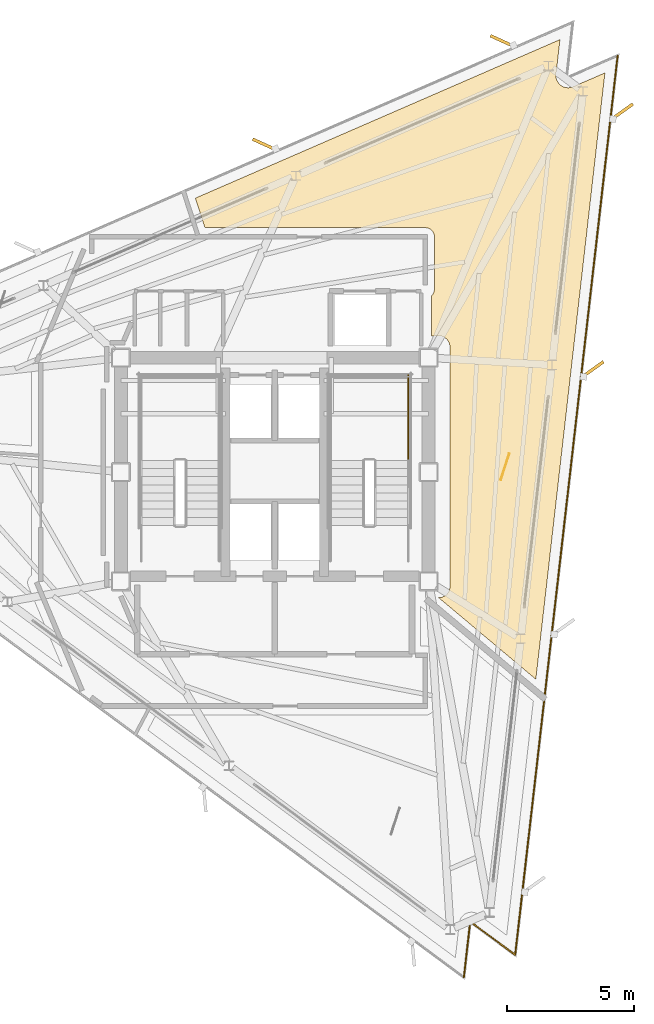
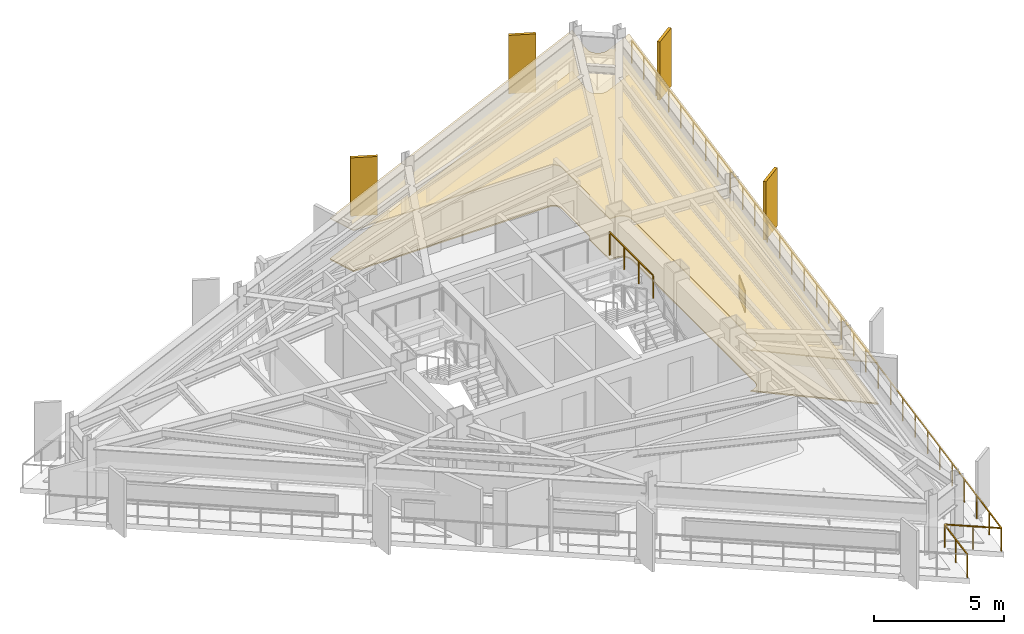
# One storey, part 9 of 9: 4 shading devices, 3 coverings, 2 railings.
"""IFC4 building model written with IfcOpenShell, lengths in metres."""

from ifc_helpers import new_model, si_unit, direction, frame, origin, origin_2d, place, context, subcontext, project, spatial, polyline, rectangle, outline, extrude, material, layer, layer_set, type_object, element, save


model = new_model("IFC4")

# Units and contexts
model_context = context("Model", 3, precision=1e-05, world=origin(), true_north=direction((0.0, 1.0)))
body_context = subcontext(model_context, "Body", "Model", "MODEL_VIEW")
ifc_project = project(units=[si_unit("LENGTHUNIT", "METRE"), si_unit("AREAUNIT", "SQUARE_METRE"), si_unit("VOLUMEUNIT", "CUBIC_METRE"), si_unit("PLANEANGLEUNIT", "RADIAN"), si_unit("MASSUNIT", "GRAM", prefix="KILO")], contexts=[model_context])

# Site, building, storey
site_placement = place(None, origin())
site = spatial("IfcSite", under=ifc_project, at=site_placement, CompositionType="ELEMENT")
building_placement = place(site_placement, origin())
building = spatial("IfcBuilding", under=site, at=building_placement, Name="Rocaltana Carrier Exchange", CompositionType="ELEMENT")
storey_placement = place(building_placement, frame((0.0, 0.0, 236.159912109375)))
storey = spatial("IfcBuildingStorey", under=building, at=storey_placement, Name="L75", CompositionType="ELEMENT", Elevation=236.159912109375)

# Coverings
ifc_material_1 = material(Name="Calcium Sulphate & Aluminium Pedestal", Category="aluminium")
ifc_layer_1 = layer(ifc_material_1, 0.06005859375)
ifc_layer_set_1 = layer_set([ifc_layer_1], Name="Calcium Sulphate & Aluminium Pedestal")
covering_type_1 = type_object("IfcCoveringType", Name="Anti-Static Raised Exchange Access Floor 60", PredefinedType="FLOORING", material=ifc_layer_set_1)
covering_1_placement = place(storey_placement, origin())
element("IfcCovering", 1, at=covering_1_placement, inside=storey, type_object=covering_type_1, Name="L75 Cloud Architecture Office Finish Floor", PredefinedType="FLOORING", context=body_context, shape_type="SweptSolid", body=[
    extrude(outline(polyline([(6.159912109375, 6.931884765625), (6.16455078125, 6.93603515625), (6.18408203125, 6.955322265625), (6.189208984375, 6.961181640625), (6.206787109375, 6.982421875), (6.21142578125, 6.98876953125), (6.226806640625, 7.01171875), (6.230712890625, 7.018310546875), (6.24365234375, 7.04248046875), (6.2470703125, 7.0498046875), (6.257568359375, 7.0751953125), (6.26025390625, 7.08251953125), (6.268310546875, 7.108642578125), (6.27001953125, 7.116455078125), (6.275390625, 7.143310546875), (6.276611328125, 7.151123046875), (6.279296875, 7.178466796875), (6.27978515625, 7.186279296875), (6.280029296875, 7.199951171875), (6.280029296875, 9.25), (6.27978515625, 9.263671875), (6.279296875, 9.271484375), (6.276611328125, 9.298828125), (6.275390625, 9.306640625), (6.27001953125, 9.33349609375), (6.268310546875, 9.34130859375), (6.26025390625, 9.36767578125), (6.257568359375, 9.375), (6.2470703125, 9.400390625), (6.24365234375, 9.407470703125), (6.230712890625, 9.431640625), (6.226806640625, 9.4384765625), (6.21142578125, 9.461181640625), (6.206787109375, 9.467529296875), (6.189208984375, 9.48876953125), (6.18408203125, 9.49462890625), (6.16455078125, 9.513916015625), (6.15869140625, 9.519287109375), (6.137451171875, 9.53662109375), (6.131103515625, 9.54150390625), (6.1083984375, 9.556640625), (6.101806640625, 9.560791015625), (6.077392578125, 9.57373046875), (6.0703125, 9.576904296875), (6.044921875, 9.58740234375), (6.03759765625, 9.590087890625), (6.01123046875, 9.59814453125), (6.003662109375, 9.60009765625), (5.976806640625, 9.60546875), (5.968994140625, 9.606689453125), (5.941650390625, 9.609375), (5.93359375, 9.609619140625), (5.919921875, 9.610107421875), (-2.743896484375, 9.610107421875), (-3.1220703125, 10.7734375), (11.217041015625, 17.00830078125), (11.06201171875, 15.648193359375), (11.060791015625, 15.634521484375), (11.0595703125, 15.614501953125), (11.05908203125, 15.586669921875), (11.059814453125, 15.566650390625), (11.062255859375, 15.538818359375), (11.06494140625, 15.51904296875), (11.070068359375, 15.49169921875), (11.07470703125, 15.472412109375), (11.08251953125, 15.445556640625), (11.089111328125, 15.4267578125), (11.099609375, 15.40087890625), (11.10791015625, 15.3828125), (11.12109375, 15.358154296875), (11.131103515625, 15.3408203125), (11.146484375, 15.317626953125), (11.158447265625, 15.301513671875), (11.176025390625, 15.27978515625), (11.189453125, 15.26513671875), (11.209228515625, 15.245361328125), (11.223876953125, 15.23193359375), (11.24560546875, 15.21435546875), (11.261474609375, 15.202392578125), (11.284912109375, 15.18701171875), (11.302001953125, 15.1767578125), (11.32666015625, 15.163818359375), (11.344482421875, 15.1552734375), (11.37060546875, 15.144775390625), (11.389404296875, 15.13818359375), (11.416015625, 15.130126953125), (11.435302734375, 15.12548828125), (11.462890625, 15.1201171875), (11.482666015625, 15.117431640625), (11.510498046875, 15.114990234375), (11.5302734375, 15.1142578125), (11.55810546875, 15.114501953125), (11.578125, 15.11572265625), (11.60595703125, 15.118896484375), (11.62548828125, 15.1220703125), (11.65283203125, 15.1279296875), (11.672119140625, 15.133056640625), (11.69873046875, 15.1416015625), (11.71728515625, 15.148681640625), (11.730224609375, 15.15380859375), (12.985595703125, 15.699462890625), (10.2685546875, -8.146484375), (6.447265625, -4.93994140625), (6.449951171875, -4.93994140625), (6.463623046875, -4.939697265625), (6.4794921875, -4.93896484375), (6.5068359375, -4.936279296875), (6.522216796875, -4.933837890625), (6.54931640625, -4.928466796875), (6.564453125, -4.9248046875), (6.5908203125, -4.916748046875), (6.605712890625, -4.91162109375), (6.630859375, -4.90087890625), (6.64501953125, -4.894287109375), (6.66943359375, -4.88134765625), (6.682861328125, -4.873291015625), (6.705810546875, -4.85791015625), (6.71826171875, -4.8486328125), (6.739501953125, -4.8310546875), (6.751220703125, -4.820556640625), (6.7705078125, -4.80126953125), (6.781005859375, -4.78955078125), (6.798583984375, -4.768310546875), (6.807861328125, -4.755615234375), (6.8232421875, -4.73291015625), (6.831298828125, -4.719482421875), (6.84423828125, -4.695068359375), (6.850830078125, -4.680908203125), (6.861572265625, -4.655517578125), (6.86669921875, -4.640869140625), (6.874755859375, -4.614501953125), (6.87841796875, -4.59912109375), (6.8837890625, -4.572265625), (6.88623046875, -4.556884765625), (6.888916015625, -4.529296875), (6.8896484375, -4.513671875), (6.889892578125, -4.5), (6.889892578125, 4.919921875), (6.8896484375, 4.93359375), (6.888916015625, 4.949462890625), (6.88623046875, 4.976806640625), (6.8837890625, 4.9921875), (6.87841796875, 5.019287109375), (6.874755859375, 5.034423828125), (6.86669921875, 5.060791015625), (6.861572265625, 5.07568359375), (6.850830078125, 5.100830078125), (6.84423828125, 5.114990234375), (6.831298828125, 5.139404296875), (6.8232421875, 5.15283203125), (6.807861328125, 5.17578125), (6.798583984375, 5.188232421875), (6.781005859375, 5.20947265625), (6.7705078125, 5.22119140625), (6.751220703125, 5.240478515625), (6.739501953125, 5.251220703125), (6.71826171875, 5.2685546875), (6.705810546875, 5.27783203125), (6.682861328125, 5.293212890625), (6.66943359375, 5.30126953125), (6.64501953125, 5.314208984375), (6.630859375, 5.32080078125), (6.605712890625, 5.33154296875), (6.5908203125, 5.336669921875), (6.564453125, 5.3447265625), (6.54931640625, 5.348388671875), (6.522216796875, 5.35400390625), (6.5068359375, 5.356201171875), (6.4794921875, 5.35888671875), (6.463623046875, 5.359619140625), (6.449951171875, 5.360107421875), (6.159912109375, 5.360107421875), (6.159912109375, 6.931884765625)])), origin(), (0.0, 0.0, 1.0), 0.06005859375),
])
ifc_material_2 = material(Name="Mineral Fibre & Powder-Coated Aluminium", Category="aluminium")
ifc_layer_2 = layer(ifc_material_2, 0.044921875)
ifc_layer_set_2 = layer_set([ifc_layer_2], Name="Mineral Fibre & Powder-Coated Aluminium")
covering_type_2 = type_object("IfcCoveringType", Name="Micro-Perforated Acoustic Ceiling 45", PredefinedType="CEILING", material=ifc_layer_set_2)
covering_2_placement = place(storey_placement, frame((0.0, 0.0, 1.923095703125)))
element("IfcCovering", 2, at=covering_2_placement, inside=storey, type_object=covering_type_2, Name="L75 Cloud Architecture Office Acoustic Ceiling", PredefinedType="CEILING", context=body_context, shape_type="SweptSolid", body=[
    extrude(outline(polyline([(6.159912109375, 6.931884765625), (6.16455078125, 6.93603515625), (6.18408203125, 6.955322265625), (6.189208984375, 6.961181640625), (6.206787109375, 6.982421875), (6.21142578125, 6.98876953125), (6.226806640625, 7.01171875), (6.230712890625, 7.018310546875), (6.24365234375, 7.04248046875), (6.2470703125, 7.0498046875), (6.257568359375, 7.0751953125), (6.26025390625, 7.08251953125), (6.268310546875, 7.108642578125), (6.27001953125, 7.116455078125), (6.275390625, 7.143310546875), (6.276611328125, 7.151123046875), (6.279296875, 7.178466796875), (6.27978515625, 7.186279296875), (6.280029296875, 7.199951171875), (6.280029296875, 9.25), (6.27978515625, 9.263671875), (6.279296875, 9.271484375), (6.276611328125, 9.298828125), (6.275390625, 9.306640625), (6.27001953125, 9.33349609375), (6.268310546875, 9.34130859375), (6.26025390625, 9.36767578125), (6.257568359375, 9.375), (6.2470703125, 9.400390625), (6.24365234375, 9.407470703125), (6.230712890625, 9.431640625), (6.226806640625, 9.4384765625), (6.21142578125, 9.461181640625), (6.206787109375, 9.467529296875), (6.189208984375, 9.48876953125), (6.18408203125, 9.49462890625), (6.16455078125, 9.513916015625), (6.15869140625, 9.519287109375), (6.137451171875, 9.53662109375), (6.131103515625, 9.54150390625), (6.1083984375, 9.556640625), (6.101806640625, 9.560791015625), (6.077392578125, 9.57373046875), (6.0703125, 9.576904296875), (6.044921875, 9.58740234375), (6.03759765625, 9.590087890625), (6.01123046875, 9.59814453125), (6.003662109375, 9.60009765625), (5.976806640625, 9.60546875), (5.968994140625, 9.606689453125), (5.941650390625, 9.609375), (5.93359375, 9.609619140625), (5.919921875, 9.610107421875), (-2.743896484375, 9.610107421875), (-3.1220703125, 10.7734375), (11.217041015625, 17.00830078125), (11.06201171875, 15.648193359375), (11.060791015625, 15.634521484375), (11.0595703125, 15.614501953125), (11.05908203125, 15.586669921875), (11.059814453125, 15.566650390625), (11.062255859375, 15.538818359375), (11.06494140625, 15.51904296875), (11.070068359375, 15.49169921875), (11.07470703125, 15.472412109375), (11.08251953125, 15.445556640625), (11.089111328125, 15.4267578125), (11.099609375, 15.40087890625), (11.10791015625, 15.3828125), (11.12109375, 15.358154296875), (11.131103515625, 15.3408203125), (11.146484375, 15.317626953125), (11.158447265625, 15.301513671875), (11.176025390625, 15.27978515625), (11.189453125, 15.26513671875), (11.209228515625, 15.245361328125), (11.223876953125, 15.23193359375), (11.24560546875, 15.21435546875), (11.261474609375, 15.202392578125), (11.284912109375, 15.18701171875), (11.302001953125, 15.1767578125), (11.32666015625, 15.163818359375), (11.344482421875, 15.1552734375), (11.37060546875, 15.144775390625), (11.389404296875, 15.13818359375), (11.416015625, 15.130126953125), (11.435302734375, 15.12548828125), (11.462890625, 15.1201171875), (11.482666015625, 15.117431640625), (11.510498046875, 15.114990234375), (11.5302734375, 15.1142578125), (11.55810546875, 15.114501953125), (11.578125, 15.11572265625), (11.60595703125, 15.118896484375), (11.62548828125, 15.1220703125), (11.65283203125, 15.1279296875), (11.672119140625, 15.133056640625), (11.69873046875, 15.1416015625), (11.71728515625, 15.148681640625), (11.730224609375, 15.15380859375), (12.985595703125, 15.699462890625), (10.2685546875, -8.146484375), (6.447265625, -4.93994140625), (6.449951171875, -4.93994140625), (6.463623046875, -4.939697265625), (6.4794921875, -4.93896484375), (6.5068359375, -4.936279296875), (6.522216796875, -4.933837890625), (6.54931640625, -4.928466796875), (6.564453125, -4.9248046875), (6.5908203125, -4.916748046875), (6.605712890625, -4.91162109375), (6.630859375, -4.90087890625), (6.64501953125, -4.894287109375), (6.66943359375, -4.88134765625), (6.682861328125, -4.873291015625), (6.705810546875, -4.85791015625), (6.71826171875, -4.8486328125), (6.739501953125, -4.8310546875), (6.751220703125, -4.820556640625), (6.7705078125, -4.80126953125), (6.781005859375, -4.78955078125), (6.798583984375, -4.768310546875), (6.807861328125, -4.755615234375), (6.8232421875, -4.73291015625), (6.831298828125, -4.719482421875), (6.84423828125, -4.695068359375), (6.850830078125, -4.680908203125), (6.861572265625, -4.655517578125), (6.86669921875, -4.640869140625), (6.874755859375, -4.614501953125), (6.87841796875, -4.59912109375), (6.8837890625, -4.572265625), (6.88623046875, -4.556884765625), (6.888916015625, -4.529296875), (6.8896484375, -4.513671875), (6.889892578125, -4.5), (6.889892578125, 4.919921875), (6.8896484375, 4.93359375), (6.888916015625, 4.949462890625), (6.88623046875, 4.976806640625), (6.8837890625, 4.9921875), (6.87841796875, 5.019287109375), (6.874755859375, 5.034423828125), (6.86669921875, 5.060791015625), (6.861572265625, 5.07568359375), (6.850830078125, 5.100830078125), (6.84423828125, 5.114990234375), (6.831298828125, 5.139404296875), (6.8232421875, 5.15283203125), (6.807861328125, 5.17578125), (6.798583984375, 5.188232421875), (6.781005859375, 5.20947265625), (6.7705078125, 5.22119140625), (6.751220703125, 5.240478515625), (6.739501953125, 5.251220703125), (6.71826171875, 5.2685546875), (6.705810546875, 5.27783203125), (6.682861328125, 5.293212890625), (6.66943359375, 5.30126953125), (6.64501953125, 5.314208984375), (6.630859375, 5.32080078125), (6.605712890625, 5.33154296875), (6.5908203125, 5.336669921875), (6.564453125, 5.3447265625), (6.54931640625, 5.348388671875), (6.522216796875, 5.35400390625), (6.5068359375, 5.356201171875), (6.4794921875, 5.35888671875), (6.463623046875, 5.359619140625), (6.449951171875, 5.360107421875), (6.159912109375, 5.360107421875), (6.159912109375, 6.931884765625)])), origin(), (0.0, 0.0, 1.0), 0.044921875),
])

# Railing
ifc_material_3 = material(Name="Powder-Coated Aluminium 6063-T6", Category="aluminium")
ifc_layer_3 = layer(ifc_material_3, 0.048095703125)
ifc_layer_set_3 = layer_set([ifc_layer_3], Name="Powder-Coated Aluminium 6063-T6")
railing_type_1 = type_object("IfcRailingType", Name="Stair Well Guardrail 1100", PredefinedType="GUARDRAIL", material=ifc_layer_set_3)
railing_1_placement = place(storey_placement, frame((5.25, 0.4599609375, 1.52001953125)))
element("IfcRailing", 3, at=railing_1_placement, inside=storey, type_object=railing_type_1, Name="L75 ST-2 stair guard 3", PredefinedType="GUARDRAIL", context=body_context, shape_type="SweptSolid", body=[
    extrude(rectangle(XDim=0.048095703125, YDim=0.048095703125, at=origin_2d()), frame((0.0, 0.0, 1.076171875), z_axis=(0.0, 1.0, 0.0), x_axis=(-1.0, 0.0, 0.0)), (0.0, 0.0, 1.0), 3.340087890625),
    extrude(rectangle(XDim=0.0419921875, YDim=0.0419921875, at=origin_2d()), origin(), (0.0, 0.0, 1.0), 1.052001953125),
    extrude(rectangle(XDim=0.0419921875, YDim=0.0419921875, at=origin_2d()), frame((0.0, 1.11328125, 0.0)), (0.0, 0.0, 1.0), 1.052001953125),
    extrude(rectangle(XDim=0.0419921875, YDim=0.0419921875, at=origin_2d()), frame((0.0, 2.226806640625, 0.0)), (0.0, 0.0, 1.0), 1.052001953125),
    extrude(rectangle(XDim=0.0419921875, YDim=0.0419921875, at=origin_2d()), frame((0.0, 3.340087890625, 0.0)), (0.0, 0.0, 1.0), 1.052001953125),
])

# Covering
ifc_material_4 = material(Name="Honed Piedra Muneca Sandstone", Category="masonry")
ifc_layer_4 = layer(ifc_material_4, 0.034912109375)
ifc_layer_set_4 = layer_set([ifc_layer_4], Name="Honed Piedra Muneca Sandstone")
covering_type_3 = type_object("IfcCoveringType", Name="Stone Facade Cladding 35", PredefinedType="CLADDING", material=ifc_layer_set_4)
covering_3_placement = place(storey_placement, frame((9.055419921875, 0.2099609375, 0.0), z_axis=(0.0, 0.0, 1.0), x_axis=(0.309016994375, 0.951056516295, 0.0)))
element("IfcCovering", 4, at=covering_3_placement, inside=storey, type_object=covering_type_3, Name="L75 Stone Facade Cladding Panel 3", PredefinedType="CLADDING", context=body_context, shape_type="SweptSolid", body=[
    extrude(rectangle(XDim=1.10009765625, YDim=0.034912109375, at=origin_2d()), origin(), (0.0, 0.0, 1.0), 1.050048828125),
])

# Shading devices
ifc_material_5 = material(Name="Honed Bogota Sandstone & Concrete C45/55", Category="masonry")
ifc_layer_5 = layer(ifc_material_5, 0.1201171875)
ifc_layer_set_5 = layer_set([ifc_layer_5], Name="Honed Bogota Sandstone & Concrete C45/55")
shading_device_type = type_object("IfcShadingDeviceType", Name="Upper Sandstone Shading Fin 1050x120", PredefinedType="USERDEFINED", material=ifc_layer_set_5)
for number, where, z_axis, x_axis, name in (
    (5, (12.502197265625, 4.03515625, -0.1201171875), (0.0, 0.0, 1.0), (0.814115518356, 0.580702955711, 0.0), "L75 Sandstone Vertical Fin F1-03"),
    (6, (13.656982421875, 14.169677734375, -0.1201171875), (0.0, 0.0, 1.0), (0.814115518356, 0.580702955711, 0.0), "L75 Sandstone Vertical Fin F1-04"),
    (7, (8.96240234375, 16.944091796875, -0.1201171875), (0.0, 0.0, 1.0), (-0.909961270877, 0.414693242656, 0.0), "L75 Sandstone Vertical Fin F2-01"),
    (8, (-0.3916015625, 12.876953125, -0.1201171875), (0.0, 0.0, 1.0), (-0.909961270877, 0.414693242656, 0.0), "L75 Sandstone Vertical Fin F2-02"),
):
    element("IfcShadingDevice", number, at=place(storey_placement, frame(where, z_axis=z_axis, x_axis=x_axis)), inside=storey, type_object=shading_device_type, Name=name, ObjectType="FIN", PredefinedType="USERDEFINED", context=body_context, shape_type="SweptSolid", body=[
        extrude(rectangle(XDim=1.050048828125, YDim=0.1201171875, at=origin_2d()), origin(), (0.0, 0.0, 1.0), 2.738037109375),
    ])

# Railing
ifc_material_6 = material(Name="Powder-Coated Aluminium 6063-T6", Category="aluminium")
ifc_layer_6 = layer(ifc_material_6, 0.06005859375)
ifc_layer_set_6 = layer_set([ifc_layer_6], Name="Powder-Coated Aluminium 6063-T6")
railing_type_2 = type_object("IfcRailingType", Name="Wind-Floor & Terrace Perimeter Guardrail 1100", PredefinedType="GUARDRAIL", material=ifc_layer_set_6)
railing_2_placement = place(storey_placement, frame((13.485107421875, 16.374755859375, 0.0)))
element("IfcRailing", 9, at=railing_2_placement, inside=storey, type_object=railing_type_2, Name="L75 Perimeter Balcony Guardrail 3", PredefinedType="GUARDRAIL", context=body_context, shape_type="SweptSolid", body=[
    extrude(rectangle(XDim=0.048095703125, YDim=0.048095703125, at=origin_2d()), frame((0.0, 0.0, 1.076171875), z_axis=(-0.113200877656, -0.99357212184, 0.0), x_axis=(0.99357212184, -0.113200877656, 0.0)), (0.0, 0.0, 1.0), 35.592041015625),
    extrude(rectangle(XDim=0.048095703125, YDim=0.048095703125, at=origin_2d()), frame((-4.029052734375, -35.36328125, 1.076171875), z_axis=(-0.803871612758, 0.59480284986, 0.0), x_axis=(-0.59480284986, -0.803871612758, 0.0)), (0.0, 0.0, 1.0), 2.199951171875),
    extrude(rectangle(XDim=0.048095703125, YDim=0.048095703125, at=origin_2d()), frame((-5.797607421875, -34.0546875, 1.076171875), z_axis=(-0.113183557839, -0.99357409499, 0.0), x_axis=(0.99357409499, -0.113183557839, 0.0)), (0.0, 0.0, 1.0), 2.2001953125),
    extrude(rectangle(XDim=0.0419921875, YDim=0.0419921875, at=origin_2d()), origin(), (0.0, 0.0, 1.0), 1.052001953125),
    extrude(rectangle(XDim=0.0419921875, YDim=0.0419921875, at=origin_2d()), frame((-0.13427734375, -1.1787109375, 0.0)), (0.0, 0.0, 1.0), 1.052001953125),
    extrude(rectangle(XDim=0.0419921875, YDim=0.0419921875, at=origin_2d()), frame((-0.2685546875, -2.357666015625, 0.0)), (0.0, 0.0, 1.0), 1.052001953125),
    extrude(rectangle(XDim=0.0419921875, YDim=0.0419921875, at=origin_2d()), frame((-0.40283203125, -3.536376953125, 0.0)), (0.0, 0.0, 1.0), 1.052001953125),
    extrude(rectangle(XDim=0.0419921875, YDim=0.0419921875, at=origin_2d()), frame((-0.537109375, -4.715087890625, 0.0)), (0.0, 0.0, 1.0), 1.052001953125),
    extrude(rectangle(XDim=0.0419921875, YDim=0.0419921875, at=origin_2d()), frame((-0.67138671875, -5.893798828125, 0.0)), (0.0, 0.0, 1.0), 1.052001953125),
    extrude(rectangle(XDim=0.0419921875, YDim=0.0419921875, at=origin_2d()), frame((-0.805908203125, -7.07275390625, 0.0)), (0.0, 0.0, 1.0), 1.052001953125),
    extrude(rectangle(XDim=0.0419921875, YDim=0.0419921875, at=origin_2d()), frame((-0.940185546875, -8.25146484375, 0.0)), (0.0, 0.0, 1.0), 1.052001953125),
    extrude(rectangle(XDim=0.0419921875, YDim=0.0419921875, at=origin_2d()), frame((-1.074462890625, -9.43017578125, 0.0)), (0.0, 0.0, 1.0), 1.052001953125),
    extrude(rectangle(XDim=0.0419921875, YDim=0.0419921875, at=origin_2d()), frame((-1.208740234375, -10.60888671875, 0.0)), (0.0, 0.0, 1.0), 1.052001953125),
    extrude(rectangle(XDim=0.0419921875, YDim=0.0419921875, at=origin_2d()), frame((-1.343017578125, -11.787841796875, 0.0)), (0.0, 0.0, 1.0), 1.052001953125),
    extrude(rectangle(XDim=0.0419921875, YDim=0.0419921875, at=origin_2d()), frame((-1.477294921875, -12.966552734375, 0.0)), (0.0, 0.0, 1.0), 1.052001953125),
    extrude(rectangle(XDim=0.0419921875, YDim=0.0419921875, at=origin_2d()), frame((-1.611572265625, -14.145263671875, 0.0)), (0.0, 0.0, 1.0), 1.052001953125),
    extrude(rectangle(XDim=0.0419921875, YDim=0.0419921875, at=origin_2d()), frame((-1.745849609375, -15.323974609375, 0.0)), (0.0, 0.0, 1.0), 1.052001953125),
    extrude(rectangle(XDim=0.0419921875, YDim=0.0419921875, at=origin_2d()), frame((-1.880126953125, -16.5029296875, 0.0)), (0.0, 0.0, 1.0), 1.052001953125),
    extrude(rectangle(XDim=0.0419921875, YDim=0.0419921875, at=origin_2d()), frame((-2.0146484375, -17.681640625, 0.0)), (0.0, 0.0, 1.0), 1.052001953125),
    extrude(rectangle(XDim=0.0419921875, YDim=0.0419921875, at=origin_2d()), frame((-2.14892578125, -18.8603515625, 0.0)), (0.0, 0.0, 1.0), 1.052001953125),
    extrude(rectangle(XDim=0.0419921875, YDim=0.0419921875, at=origin_2d()), frame((-2.283203125, -20.039306640625, 0.0)), (0.0, 0.0, 1.0), 1.052001953125),
    extrude(rectangle(XDim=0.0419921875, YDim=0.0419921875, at=origin_2d()), frame((-2.41748046875, -21.218017578125, 0.0)), (0.0, 0.0, 1.0), 1.052001953125),
    extrude(rectangle(XDim=0.0419921875, YDim=0.0419921875, at=origin_2d()), frame((-2.5517578125, -22.396728515625, 0.0)), (0.0, 0.0, 1.0), 1.052001953125),
    extrude(rectangle(XDim=0.0419921875, YDim=0.0419921875, at=origin_2d()), frame((-2.68603515625, -23.575439453125, 0.0)), (0.0, 0.0, 1.0), 1.052001953125),
    extrude(rectangle(XDim=0.0419921875, YDim=0.0419921875, at=origin_2d()), frame((-2.8203125, -24.75439453125, 0.0)), (0.0, 0.0, 1.0), 1.052001953125),
    extrude(rectangle(XDim=0.0419921875, YDim=0.0419921875, at=origin_2d()), frame((-2.95458984375, -25.93310546875, 0.0)), (0.0, 0.0, 1.0), 1.052001953125),
    extrude(rectangle(XDim=0.0419921875, YDim=0.0419921875, at=origin_2d()), frame((-3.0888671875, -27.11181640625, 0.0)), (0.0, 0.0, 1.0), 1.052001953125),
    extrude(rectangle(XDim=0.0419921875, YDim=0.0419921875, at=origin_2d()), frame((-3.22314453125, -28.29052734375, 0.0)), (0.0, 0.0, 1.0), 1.052001953125),
    extrude(rectangle(XDim=0.0419921875, YDim=0.0419921875, at=origin_2d()), frame((-3.357421875, -29.469482421875, 0.0)), (0.0, 0.0, 1.0), 1.052001953125),
    extrude(rectangle(XDim=0.0419921875, YDim=0.0419921875, at=origin_2d()), frame((-3.491943359375, -30.648193359375, 0.0)), (0.0, 0.0, 1.0), 1.052001953125),
    extrude(rectangle(XDim=0.0419921875, YDim=0.0419921875, at=origin_2d()), frame((-3.626220703125, -31.826904296875, 0.0)), (0.0, 0.0, 1.0), 1.052001953125),
    extrude(rectangle(XDim=0.0419921875, YDim=0.0419921875, at=origin_2d()), frame((-3.760498046875, -33.005615234375, 0.0)), (0.0, 0.0, 1.0), 1.052001953125),
    extrude(rectangle(XDim=0.0419921875, YDim=0.0419921875, at=origin_2d()), frame((-3.894775390625, -34.1845703125, 0.0)), (0.0, 0.0, 1.0), 1.052001953125),
    extrude(rectangle(XDim=0.0419921875, YDim=0.0419921875, at=origin_2d()), frame((-4.029052734375, -35.36328125, 0.0)), (0.0, 0.0, 1.0), 1.052001953125),
    extrude(rectangle(XDim=0.0419921875, YDim=0.0419921875, at=origin_2d()), frame((-4.913330078125, -34.708984375, 0.0)), (0.0, 0.0, 1.0), 1.052001953125),
    extrude(rectangle(XDim=0.0419921875, YDim=0.0419921875, at=origin_2d()), frame((-5.797607421875, -34.0546875, 0.0)), (0.0, 0.0, 1.0), 1.052001953125),
    extrude(rectangle(XDim=0.0419921875, YDim=0.0419921875, at=origin_2d()), frame((-5.922119140625, -35.147705078125, 0.0)), (0.0, 0.0, 1.0), 1.052001953125),
    extrude(rectangle(XDim=0.0419921875, YDim=0.0419921875, at=origin_2d()), frame((-6.046630859375, -36.24072265625, 0.0)), (0.0, 0.0, 1.0), 1.052001953125),
])

save(model, "model.ifc")
